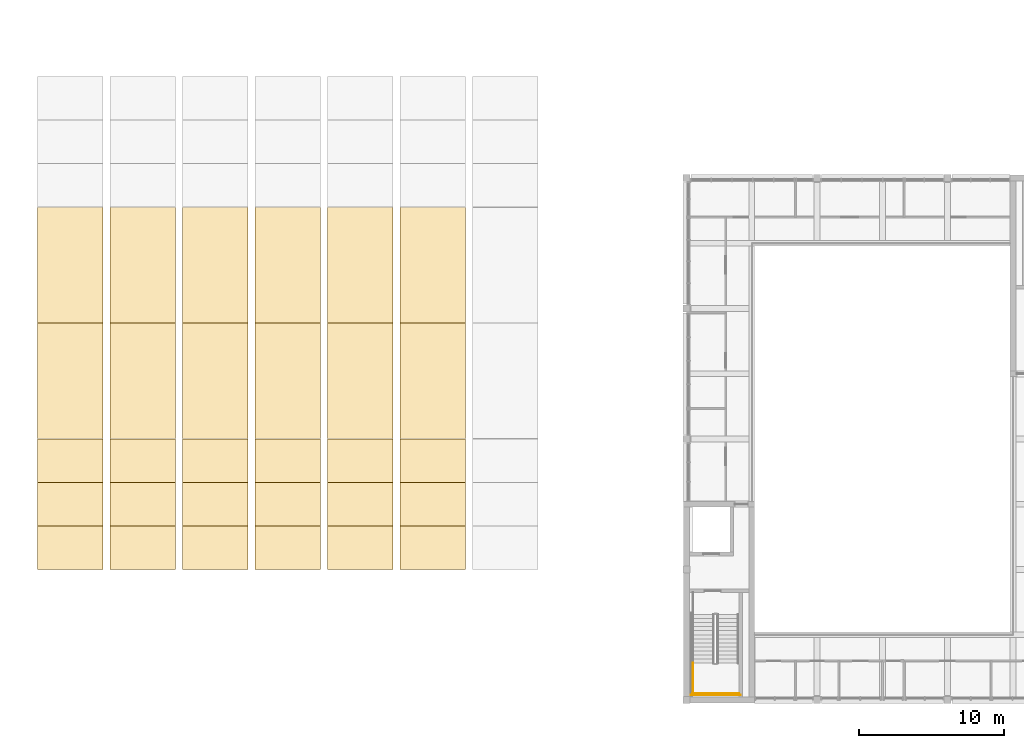
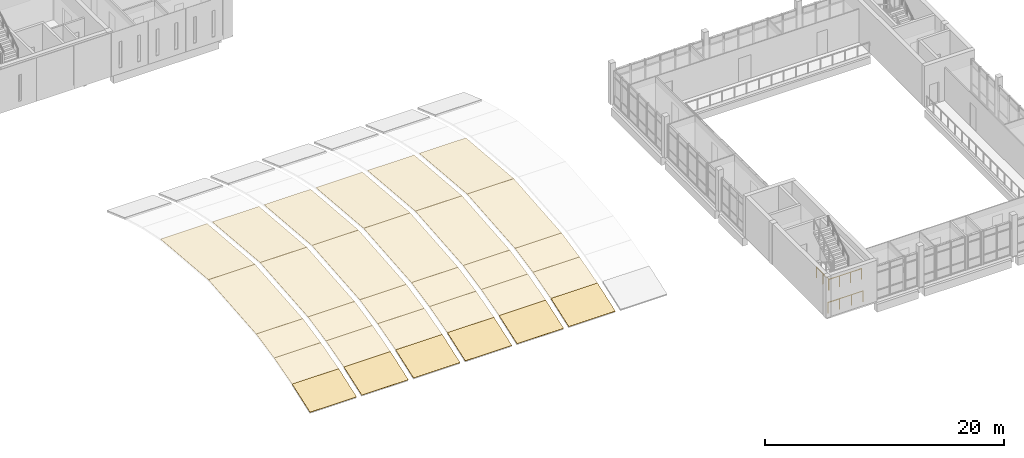
# One storey, part 57 of 74: 30 coverings, 3 railings.
"""IFC4 building model written with IfcOpenShell, lengths in metres."""

import ifcopenshell
import ifcopenshell.guid

model = None  # the IFC model being written
_history = None  # IfcOwnerHistory: only IFC2X3 demands one
_inside = {}  # id of a spatial element -> (the spatial element, [elements in it])
_under = {}  # id of a project, library or spatial element -> (it, [spatial elements below it])
_declared = {}  # id of a project -> (the project, [libraries it declares])
_typed = {}  # id of a type object -> (the type object, [elements of that type])
_made_of = {}  # id of a material, layer set ... -> (it, [elements and type objects made of it])


def new_model(schema):
    """Start an empty IFC model of exactly this schema.

    Asked for "IFC4X3", IfcOpenShell would pick the latest addendum, in which some entities
    have other attributes; the version numbers below select the first issue.
    IFC2X3 requires an IfcOwnerHistory on every rooted entity: one is made here for all.
    """
    global model, _history
    if schema == "IFC4X3":
        model = ifcopenshell.file(schema_version=(4, 3, 0, 0))
    else:
        model = ifcopenshell.file(schema=schema)
    _inside.clear()
    _under.clear()
    _declared.clear()
    _typed.clear()
    _made_of.clear()
    _history = None
    if model.schema == "IFC2X3":
        org = make("IfcOrganization", Name="unknown")
        user = make(
            "IfcPersonAndOrganization",
            ThePerson=make("IfcPerson", FamilyName="unknown"),
            TheOrganization=org,
        )
        app = make(
            "IfcApplication",
            ApplicationDeveloper=org,
            Version="unknown",
            ApplicationFullName="unknown",
            ApplicationIdentifier="unknown",
        )
        _history = make(
            "IfcOwnerHistory",
            OwningUser=user,
            OwningApplication=app,
            ChangeAction="ADDED",
            CreationDate=0,
        )
    return model


def make(cls, **values):
    """One entity of the class cls with the attributes given. An attribute that is None is left unset."""
    return model.create_entity(
        cls, **{name: value for name, value in values.items() if value is not None}
    )


def rooted(cls, **values):
    """An entity with a GlobalId (a new one), such as an element, a storey or a relation."""
    return make(cls, GlobalId=ifcopenshell.guid.new(), OwnerHistory=_history, **values)


def si_unit(unit_type, name, prefix=None):
    """IfcSIUnit, for example si_unit("LENGTHUNIT", "METRE", prefix="MILLI")."""
    return make("IfcSIUnit", UnitType=unit_type, Prefix=prefix, Name=name)


def assignment(units):
    """IfcUnitAssignment: the units of a project."""
    return None if units is None else make("IfcUnitAssignment", Units=units)


def point(xyz):
    """IfcCartesianPoint."""
    return None if xyz is None else make("IfcCartesianPoint", Coordinates=xyz)


def direction(xyz):
    """IfcDirection."""
    return None if xyz is None else make("IfcDirection", DirectionRatios=xyz)


def frame(location, z_axis=None, x_axis=None):
    """IfcAxis2Placement3D, a coordinate frame: its origin and axes. An axis left out is left unset."""
    return make(
        "IfcAxis2Placement3D",
        Location=point(location),
        Axis=direction(z_axis),
        RefDirection=direction(x_axis),
    )


def frame_2d(location, x_axis=None):
    """IfcAxis2Placement2D, a coordinate frame in the plane: its origin and x axis."""
    return make(
        "IfcAxis2Placement2D", Location=point(location), RefDirection=direction(x_axis)
    )


def origin():
    """The frame at (0, 0, 0) with its axes left unset."""
    return frame((0.0, 0.0, 0.0))


def origin_2d():
    """The frame at (0, 0) in the plane with its x axis left unset."""
    return frame_2d((0.0, 0.0))


def place(relative_to, where):
    """IfcLocalPlacement: puts the frame where relative to a parent placement (None: the world)."""
    return make(
        "IfcLocalPlacement", PlacementRelTo=relative_to, RelativePlacement=where
    )


def context(
    kind, dimensions, precision=None, world=None, true_north=None, identifier=None
):
    """IfcGeometricRepresentationContext, for example the 3D "Model" context."""
    return make(
        "IfcGeometricRepresentationContext",
        ContextIdentifier=identifier,
        ContextType=kind,
        CoordinateSpaceDimension=dimensions,
        Precision=precision,
        WorldCoordinateSystem=world,
        TrueNorth=true_north,
    )


def subcontext(parent, identifier, kind, view, scale=None):
    """IfcGeometricRepresentationSubContext, for example "Body" below "Model"."""
    return make(
        "IfcGeometricRepresentationSubContext",
        ContextIdentifier=identifier,
        ContextType=kind,
        ParentContext=parent,
        TargetScale=scale,
        TargetView=view,
    )


def project(units=None, contexts=None):
    """IfcProject with its units and contexts."""
    return rooted(
        "IfcProject",
        Name="project",
        RepresentationContexts=contexts,
        UnitsInContext=assignment(units),
    )


def spatial(cls, under=None, at=None, **own):
    """A site, building, storey or space (cls), placed at a placement, below another one or the project."""
    s = rooted(cls, ObjectPlacement=at, **own)
    if under is not None:
        _under.setdefault(under.id(), (under, []))[1].append(s)
    return s


def polyline(points):
    """IfcPolyline through the points."""
    return make("IfcPolyline", Points=[point(p) for p in points])


def profile(cls, at=None, kind="AREA", **sizes):
    """A parametric profile (cls). Its sizes go by their IFC names, for example OverallWidth=200.0."""
    return make(cls, ProfileType=kind, Position=at, **sizes)


def circle(**sizes):
    """IfcCircleProfileDef."""
    return profile("IfcCircleProfileDef", **sizes)


def outline(outer, holes=None, kind="AREA"):
    """IfcArbitraryClosedProfileDef: a profile drawn as a closed curve; with holes, ...WithVoids."""
    if holes is None:
        return make("IfcArbitraryClosedProfileDef", ProfileType=kind, OuterCurve=outer)
    return make(
        "IfcArbitraryProfileDefWithVoids",
        ProfileType=kind,
        OuterCurve=outer,
        InnerCurves=holes,
    )


def extrude(swept, where, along, depth):
    """IfcExtrudedAreaSolid: the profile swept, set in the frame where, extruded along a direction by depth."""
    return make(
        "IfcExtrudedAreaSolid",
        SweptArea=swept,
        Position=where,
        ExtrudedDirection=direction(along),
        Depth=depth,
    )


def shape(context_of_items, identifier, shape_type, items):
    """IfcShapeRepresentation: the items that make up one representation, for example the "Body"."""
    return make(
        "IfcShapeRepresentation",
        ContextOfItems=context_of_items,
        RepresentationIdentifier=identifier,
        RepresentationType=shape_type,
        Items=items,
    )


def material(Name=None, Category=None):
    """IfcMaterial."""
    return make("IfcMaterial", Name=Name, Category=Category)


def layer(
    of_material, thickness, ventilated=None, Name=None, Category=None, Priority=None
):
    """IfcMaterialLayer: one layer of a wall or slab, of a material (None: an air gap)."""
    return make(
        "IfcMaterialLayer",
        Material=of_material,
        LayerThickness=thickness,
        IsVentilated=ventilated,
        Name=Name,
        Category=Category,
        Priority=Priority,
    )


def layer_set(layers, Name=None):
    """IfcMaterialLayerSet."""
    return make("IfcMaterialLayerSet", MaterialLayers=layers, LayerSetName=Name)


def made_of(thing, what):
    """Note that an element or type object is made of a material, layer set ...; save() writes the relation."""
    if what is not None:
        _made_of.setdefault(what.id(), (what, []))[1].append(thing)
    return thing


def type_object(cls, material=None, **own):
    """A type object (cls), such as IfcWallType, which elements share."""
    return made_of(rooted(cls, **own), material)


def element(
    cls,
    number,
    at=None,
    inside=None,
    cuts=None,
    type_object=None,
    material=None,
    context=None,
    identifier="Body",
    shape_type=None,
    held_by="IfcProductDefinitionShape",
    body=None,
    shapes=None,
    **own,
):
    """One element of the class cls, such as IfcWall. Its Tag is "e" and its number.

    at: its placement. inside: the storey or other place that contains it. cuts: it is an
    opening in that element (IfcRelVoidsElement). A single representation is given by context,
    identifier, shape_type and body (its items); several are given by shapes. held_by: the class
    of the entity that holds the representations. save() writes the other relations.
    """
    e = rooted(cls, Tag="e%d" % number, ObjectPlacement=at, **own)
    if body is not None:
        shapes = [shape(context, identifier, shape_type, body)]
    if shapes is not None:
        e.Representation = make(held_by, Representations=shapes)
    if inside is not None:
        _inside.setdefault(inside.id(), (inside, []))[1].append(e)
    if cuts is not None:
        rooted(
            "IfcRelVoidsElement", RelatingBuildingElement=cuts, RelatedOpeningElement=e
        )
    if type_object is not None:
        _typed.setdefault(type_object.id(), (type_object, []))[1].append(e)
    return made_of(e, material)


def aggregate(whole, parts):
    """IfcRelAggregates: a whole, such as a stair, and the parts it consists of."""
    return rooted("IfcRelAggregates", RelatingObject=whole, RelatedObjects=parts)


def save(model, path):
    """Write the relations noted so far, then the file.

    IfcRelAggregates (storeys below a building ...), IfcRelContainedInSpatialStructure (elements
    in a storey), IfcRelDefinesByType, IfcRelAssociatesMaterial and IfcRelDeclares: one each for
    every whole, place, type object, material and project.
    """
    for whole, parts in _under.values():
        aggregate(whole, parts)
    for where, things in _inside.values():
        rooted(
            "IfcRelContainedInSpatialStructure",
            RelatedElements=things,
            RelatingStructure=where,
        )
    for kind, things in _typed.values():
        rooted("IfcRelDefinesByType", RelatedObjects=things, RelatingType=kind)
    for what, things in _made_of.values():
        rooted("IfcRelAssociatesMaterial", RelatedObjects=things, RelatingMaterial=what)
    for by, libraries in _declared.values():
        rooted("IfcRelDeclares", RelatingContext=by, RelatedDefinitions=libraries)
    model.write(path)


model = new_model("IFC4")

# Units and contexts
model_context = context("Model", 3, precision=1e-05, world=origin(), true_north=direction((0.0, 1.0)))
body_context = subcontext(model_context, "Body", "Model", "MODEL_VIEW")
ifc_project = project(units=[si_unit("LENGTHUNIT", "METRE"), si_unit("AREAUNIT", "SQUARE_METRE"), si_unit("VOLUMEUNIT", "CUBIC_METRE"), si_unit("PLANEANGLEUNIT", "RADIAN"), si_unit("MASSUNIT", "GRAM", prefix="KILO")], contexts=[model_context])

# Site, building, storey
site_placement = place(None, origin())
site = spatial("IfcSite", under=ifc_project, at=site_placement, CompositionType="ELEMENT")
building_placement = place(site_placement, origin())
building = spatial("IfcBuilding", under=site, at=building_placement, Name="Merrow Basin Faculty of Sciences", CompositionType="ELEMENT")
storey_placement = place(building_placement, frame((0.0, 0.0, 13.5)))
storey = spatial("IfcBuildingStorey", under=building, at=storey_placement, Name="L03", CompositionType="ELEMENT", Elevation=13.5)

# Coverings
ifc_material_1 = material(Name="Bituminous roofing membrane")
ifc_layer = layer(ifc_material_1, 0.030029296875)
ifc_layer_set = layer_set([ifc_layer], Name="Shell waterproofing 30")
covering_type = type_object("IfcCoveringType", Name="Shell waterproofing 30", PredefinedType="ROOFING", material=ifc_layer_set)
covering_1_placement = place(storey_placement, frame((0.25, 8.989990234375, 0.39794921875), z_axis=(0.0, -0.334256016582, 0.942482315685), x_axis=(1.0, 0.0, 0.0)))
element("IfcCovering", 1, at=covering_1_placement, inside=storey, type_object=covering_type, Name="Shell waterproofing", PredefinedType="ROOFING", context=body_context, shape_type="SweptSolid", body=[
    extrude(outline(polyline([(0.0, 0.0), (4.5, 0.0), (4.5, 3.183083597509805), (0.0, 3.183083597509805), (0.0, 0.0)])), origin(), (0.0, 0.0, -1.0), 0.030029296875),
])
covering_2_placement = place(storey_placement, frame((0.25, 11.991943359375, 1.462890625), z_axis=(0.0, -0.269365379975, 0.963038053283), x_axis=(1.0, 0.0, 0.0)))
element("IfcCovering", 2, at=covering_2_placement, inside=storey, type_object=covering_type, Name="Shell waterproofing", PredefinedType="ROOFING", context=body_context, shape_type="SweptSolid", body=[
    extrude(outline(polyline([(0.0, 0.0), (4.5, 0.0), (4.5, 3.115141701590427), (0.0, 3.115141701590427), (0.0, 0.0)])), origin(), (0.0, 0.0, -1.0), 0.030029296875),
])
covering_3_placement = place(storey_placement, frame((0.25, 14.993896484375, 2.302978515625), z_axis=(0.0, -0.204870252821, 0.978789139452), x_axis=(1.0, 0.0, 0.0)))
element("IfcCovering", 3, at=covering_3_placement, inside=storey, type_object=covering_type, Name="Shell waterproofing", PredefinedType="ROOFING", context=body_context, shape_type="SweptSolid", body=[
    extrude(outline(polyline([(0.0, 0.0), (4.5, 0.0), (4.5, 3.065011532187741), (0.0, 3.065011532187741), (0.0, 0.0)])), origin(), (0.0, 0.0, -1.0), 0.030029296875),
])
for number, where, z_axis, x_axis, name in (
    (4, (0.25, 17.9970703125, 2.930908203125), (0.0, -0.086557458826, 0.996246860131), (1.0, 0.0, 0.0), "Shell waterproofing"),
    (5, (0.25, 26.0029296875, 3.6259765625), (0.0, 0.086557458826, 0.996246860131), (1.0, 0.0, 0.0), "Shell waterproofing"),
):
    element("IfcCovering", number, at=place(storey_placement, frame(where, z_axis=z_axis, x_axis=x_axis)), inside=storey, type_object=covering_type, Name=name, PredefinedType="ROOFING", context=body_context, shape_type="SweptSolid", body=[
        extrude(outline(polyline([(0.0, 0.0), (4.5, 0.0), (4.5, 8.030138231948703), (0.0, 8.030138231948703), (0.0, 0.0)])), origin(), (0.0, 0.0, -1.0), 0.030029296875),
    ])
covering_4_placement = place(storey_placement, frame((5.25, 8.989990234375, 0.39794921875), z_axis=(0.0, -0.334256016582, 0.942482315685), x_axis=(1.0, 0.0, 0.0)))
element("IfcCovering", 6, at=covering_4_placement, inside=storey, type_object=covering_type, Name="Shell waterproofing", PredefinedType="ROOFING", context=body_context, shape_type="SweptSolid", body=[
    extrude(outline(polyline([(0.0, 0.0), (4.5, 0.0), (4.5, 3.183083597509805), (0.0, 3.183083597509805), (0.0, 0.0)])), origin(), (0.0, 0.0, -1.0), 0.030029296875),
])
covering_5_placement = place(storey_placement, frame((5.25, 11.991943359375, 1.462890625), z_axis=(0.0, -0.269365379975, 0.963038053283), x_axis=(1.0, 0.0, 0.0)))
element("IfcCovering", 7, at=covering_5_placement, inside=storey, type_object=covering_type, Name="Shell waterproofing", PredefinedType="ROOFING", context=body_context, shape_type="SweptSolid", body=[
    extrude(outline(polyline([(0.0, 0.0), (4.5, 0.0), (4.5, 3.115141701590427), (0.0, 3.115141701590427), (0.0, 0.0)])), origin(), (0.0, 0.0, -1.0), 0.030029296875),
])
covering_6_placement = place(storey_placement, frame((5.25, 14.993896484375, 2.302978515625), z_axis=(0.0, -0.204870252821, 0.978789139452), x_axis=(1.0, 0.0, 0.0)))
element("IfcCovering", 8, at=covering_6_placement, inside=storey, type_object=covering_type, Name="Shell waterproofing", PredefinedType="ROOFING", context=body_context, shape_type="SweptSolid", body=[
    extrude(outline(polyline([(0.0, 0.0), (4.5, 0.0), (4.5, 3.065011532187741), (0.0, 3.065011532187741), (0.0, 0.0)])), origin(), (0.0, 0.0, -1.0), 0.030029296875),
])
for number, where, z_axis, x_axis, name in (
    (9, (5.25, 17.9970703125, 2.930908203125), (0.0, -0.086557458826, 0.996246860131), (1.0, 0.0, 0.0), "Shell waterproofing"),
    (10, (5.25, 26.0029296875, 3.6259765625), (0.0, 0.086557458826, 0.996246860131), (1.0, 0.0, 0.0), "Shell waterproofing"),
):
    element("IfcCovering", number, at=place(storey_placement, frame(where, z_axis=z_axis, x_axis=x_axis)), inside=storey, type_object=covering_type, Name=name, PredefinedType="ROOFING", context=body_context, shape_type="SweptSolid", body=[
        extrude(outline(polyline([(0.0, 0.0), (4.5, 0.0), (4.5, 8.030138231948703), (0.0, 8.030138231948703), (0.0, 0.0)])), origin(), (0.0, 0.0, -1.0), 0.030029296875),
    ])
covering_7_placement = place(storey_placement, frame((10.25, 8.989990234375, 0.39794921875), z_axis=(0.0, -0.334256016582, 0.942482315685), x_axis=(1.0, 0.0, 0.0)))
element("IfcCovering", 11, at=covering_7_placement, inside=storey, type_object=covering_type, Name="Shell waterproofing", PredefinedType="ROOFING", context=body_context, shape_type="SweptSolid", body=[
    extrude(outline(polyline([(0.0, 0.0), (4.5, 0.0), (4.5, 3.183083597509805), (0.0, 3.183083597509805), (0.0, 0.0)])), origin(), (0.0, 0.0, -1.0), 0.030029296875),
])
covering_8_placement = place(storey_placement, frame((10.25, 11.991943359375, 1.462890625), z_axis=(0.0, -0.269365379975, 0.963038053283), x_axis=(1.0, 0.0, 0.0)))
element("IfcCovering", 12, at=covering_8_placement, inside=storey, type_object=covering_type, Name="Shell waterproofing", PredefinedType="ROOFING", context=body_context, shape_type="SweptSolid", body=[
    extrude(outline(polyline([(0.0, 0.0), (4.5, 0.0), (4.5, 3.115141701590427), (0.0, 3.115141701590427), (0.0, 0.0)])), origin(), (0.0, 0.0, -1.0), 0.030029296875),
])
covering_9_placement = place(storey_placement, frame((10.25, 14.993896484375, 2.302978515625), z_axis=(0.0, -0.204870252821, 0.978789139452), x_axis=(1.0, 0.0, 0.0)))
element("IfcCovering", 13, at=covering_9_placement, inside=storey, type_object=covering_type, Name="Shell waterproofing", PredefinedType="ROOFING", context=body_context, shape_type="SweptSolid", body=[
    extrude(outline(polyline([(0.0, 0.0), (4.5, 0.0), (4.5, 3.065011532187741), (0.0, 3.065011532187741), (0.0, 0.0)])), origin(), (0.0, 0.0, -1.0), 0.030029296875),
])
for number, where, z_axis, x_axis, name in (
    (14, (10.25, 17.9970703125, 2.930908203125), (0.0, -0.086557458826, 0.996246860131), (1.0, 0.0, 0.0), "Shell waterproofing"),
    (15, (10.25, 26.0029296875, 3.6259765625), (0.0, 0.086557458826, 0.996246860131), (1.0, 0.0, 0.0), "Shell waterproofing"),
):
    element("IfcCovering", number, at=place(storey_placement, frame(where, z_axis=z_axis, x_axis=x_axis)), inside=storey, type_object=covering_type, Name=name, PredefinedType="ROOFING", context=body_context, shape_type="SweptSolid", body=[
        extrude(outline(polyline([(0.0, 0.0), (4.5, 0.0), (4.5, 8.030138231948703), (0.0, 8.030138231948703), (0.0, 0.0)])), origin(), (0.0, 0.0, -1.0), 0.030029296875),
    ])
covering_10_placement = place(storey_placement, frame((15.25, 8.989990234375, 0.39794921875), z_axis=(0.0, -0.334256016582, 0.942482315685), x_axis=(1.0, 0.0, 0.0)))
element("IfcCovering", 16, at=covering_10_placement, inside=storey, type_object=covering_type, Name="Shell waterproofing", PredefinedType="ROOFING", context=body_context, shape_type="SweptSolid", body=[
    extrude(outline(polyline([(0.0, 0.0), (4.5, 0.0), (4.5, 3.183083597509805), (0.0, 3.183083597509805), (0.0, 0.0)])), origin(), (0.0, 0.0, -1.0), 0.030029296875),
])
covering_11_placement = place(storey_placement, frame((15.25, 11.991943359375, 1.462890625), z_axis=(0.0, -0.269365379975, 0.963038053283), x_axis=(1.0, 0.0, 0.0)))
element("IfcCovering", 17, at=covering_11_placement, inside=storey, type_object=covering_type, Name="Shell waterproofing", PredefinedType="ROOFING", context=body_context, shape_type="SweptSolid", body=[
    extrude(outline(polyline([(0.0, 0.0), (4.5, 0.0), (4.5, 3.115141701590427), (0.0, 3.115141701590427), (0.0, 0.0)])), origin(), (0.0, 0.0, -1.0), 0.030029296875),
])
covering_12_placement = place(storey_placement, frame((15.25, 14.993896484375, 2.302978515625), z_axis=(0.0, -0.204870252821, 0.978789139452), x_axis=(1.0, 0.0, 0.0)))
element("IfcCovering", 18, at=covering_12_placement, inside=storey, type_object=covering_type, Name="Shell waterproofing", PredefinedType="ROOFING", context=body_context, shape_type="SweptSolid", body=[
    extrude(outline(polyline([(0.0, 0.0), (4.5, 0.0), (4.5, 3.065011532187741), (0.0, 3.065011532187741), (0.0, 0.0)])), origin(), (0.0, 0.0, -1.0), 0.030029296875),
])
for number, where, z_axis, x_axis, name in (
    (19, (15.25, 17.9970703125, 2.930908203125), (0.0, -0.086557458826, 0.996246860131), (1.0, 0.0, 0.0), "Shell waterproofing"),
    (20, (15.25, 26.0029296875, 3.6259765625), (0.0, 0.086557458826, 0.996246860131), (1.0, 0.0, 0.0), "Shell waterproofing"),
):
    element("IfcCovering", number, at=place(storey_placement, frame(where, z_axis=z_axis, x_axis=x_axis)), inside=storey, type_object=covering_type, Name=name, PredefinedType="ROOFING", context=body_context, shape_type="SweptSolid", body=[
        extrude(outline(polyline([(0.0, 0.0), (4.5, 0.0), (4.5, 8.030138231948703), (0.0, 8.030138231948703), (0.0, 0.0)])), origin(), (0.0, 0.0, -1.0), 0.030029296875),
    ])
covering_13_placement = place(storey_placement, frame((20.25, 8.989990234375, 0.39794921875), z_axis=(0.0, -0.334256016582, 0.942482315685), x_axis=(1.0, 0.0, 0.0)))
element("IfcCovering", 21, at=covering_13_placement, inside=storey, type_object=covering_type, Name="Shell waterproofing", PredefinedType="ROOFING", context=body_context, shape_type="SweptSolid", body=[
    extrude(outline(polyline([(0.0, 0.0), (4.5, 0.0), (4.5, 3.183083597509805), (0.0, 3.183083597509805), (0.0, 0.0)])), origin(), (0.0, 0.0, -1.0), 0.030029296875),
])
covering_14_placement = place(storey_placement, frame((20.25, 11.991943359375, 1.462890625), z_axis=(0.0, -0.269365379975, 0.963038053283), x_axis=(1.0, 0.0, 0.0)))
element("IfcCovering", 22, at=covering_14_placement, inside=storey, type_object=covering_type, Name="Shell waterproofing", PredefinedType="ROOFING", context=body_context, shape_type="SweptSolid", body=[
    extrude(outline(polyline([(0.0, 0.0), (4.5, 0.0), (4.5, 3.115141701590427), (0.0, 3.115141701590427), (0.0, 0.0)])), origin(), (0.0, 0.0, -1.0), 0.030029296875),
])
covering_15_placement = place(storey_placement, frame((20.25, 14.993896484375, 2.302978515625), z_axis=(0.0, -0.204870252821, 0.978789139452), x_axis=(1.0, 0.0, 0.0)))
element("IfcCovering", 23, at=covering_15_placement, inside=storey, type_object=covering_type, Name="Shell waterproofing", PredefinedType="ROOFING", context=body_context, shape_type="SweptSolid", body=[
    extrude(outline(polyline([(0.0, 0.0), (4.5, 0.0), (4.5, 3.065011532187741), (0.0, 3.065011532187741), (0.0, 0.0)])), origin(), (0.0, 0.0, -1.0), 0.030029296875),
])
for number, where, z_axis, x_axis, name in (
    (24, (20.25, 17.9970703125, 2.930908203125), (0.0, -0.086557458826, 0.996246860131), (1.0, 0.0, 0.0), "Shell waterproofing"),
    (25, (20.25, 26.0029296875, 3.6259765625), (0.0, 0.086557458826, 0.996246860131), (1.0, 0.0, 0.0), "Shell waterproofing"),
):
    element("IfcCovering", number, at=place(storey_placement, frame(where, z_axis=z_axis, x_axis=x_axis)), inside=storey, type_object=covering_type, Name=name, PredefinedType="ROOFING", context=body_context, shape_type="SweptSolid", body=[
        extrude(outline(polyline([(0.0, 0.0), (4.5, 0.0), (4.5, 8.030138231948703), (0.0, 8.030138231948703), (0.0, 0.0)])), origin(), (0.0, 0.0, -1.0), 0.030029296875),
    ])
covering_16_placement = place(storey_placement, frame((25.25, 8.989990234375, 0.39794921875), z_axis=(0.0, -0.334256016582, 0.942482315685), x_axis=(1.0, 0.0, 0.0)))
element("IfcCovering", 26, at=covering_16_placement, inside=storey, type_object=covering_type, Name="Shell waterproofing", PredefinedType="ROOFING", context=body_context, shape_type="SweptSolid", body=[
    extrude(outline(polyline([(0.0, 0.0), (4.5, 0.0), (4.5, 3.183083597509805), (0.0, 3.183083597509805), (0.0, 0.0)])), origin(), (0.0, 0.0, -1.0), 0.030029296875),
])
covering_17_placement = place(storey_placement, frame((25.25, 11.991943359375, 1.462890625), z_axis=(0.0, -0.269365379975, 0.963038053283), x_axis=(1.0, 0.0, 0.0)))
element("IfcCovering", 27, at=covering_17_placement, inside=storey, type_object=covering_type, Name="Shell waterproofing", PredefinedType="ROOFING", context=body_context, shape_type="SweptSolid", body=[
    extrude(outline(polyline([(0.0, 0.0), (4.5, 0.0), (4.5, 3.115141701590427), (0.0, 3.115141701590427), (0.0, 0.0)])), origin(), (0.0, 0.0, -1.0), 0.030029296875),
])
covering_18_placement = place(storey_placement, frame((25.25, 14.993896484375, 2.302978515625), z_axis=(0.0, -0.204870252821, 0.978789139452), x_axis=(1.0, 0.0, 0.0)))
element("IfcCovering", 28, at=covering_18_placement, inside=storey, type_object=covering_type, Name="Shell waterproofing", PredefinedType="ROOFING", context=body_context, shape_type="SweptSolid", body=[
    extrude(outline(polyline([(0.0, 0.0), (4.5, 0.0), (4.5, 3.065011532187741), (0.0, 3.065011532187741), (0.0, 0.0)])), origin(), (0.0, 0.0, -1.0), 0.030029296875),
])
for number, where, z_axis, x_axis, name in (
    (29, (25.25, 17.9970703125, 2.930908203125), (0.0, -0.086557458826, 0.996246860131), (1.0, 0.0, 0.0), "Shell waterproofing"),
    (30, (25.25, 26.0029296875, 3.6259765625), (0.0, 0.086557458826, 0.996246860131), (1.0, 0.0, 0.0), "Shell waterproofing"),
):
    element("IfcCovering", number, at=place(storey_placement, frame(where, z_axis=z_axis, x_axis=x_axis)), inside=storey, type_object=covering_type, Name=name, PredefinedType="ROOFING", context=body_context, shape_type="SweptSolid", body=[
        extrude(outline(polyline([(0.0, 0.0), (4.5, 0.0), (4.5, 8.030138231948703), (0.0, 8.030138231948703), (0.0, 0.0)])), origin(), (0.0, 0.0, -1.0), 0.030029296875),
    ])

# Railings
ifc_material_2 = material(Name="Steel ASTM A36", Category="steel")
railing_type = type_object("IfcRailingType", Name="Steel guard 1100", PredefinedType="GUARDRAIL", material=ifc_material_2)
railing_1_placement = place(storey_placement, frame((45.449951171875, 2.5400390625, 2.25)))
element("IfcRailing", 31, at=railing_1_placement, inside=storey, type_object=railing_type, Name="L03 ST-V3-W stair guard 3", PredefinedType="GUARDRAIL", context=body_context, shape_type="SweptSolid", body=[
    extrude(circle(Radius=0.02392578125, at=origin_2d()), frame((0.0, 0.0, 1.076171875), z_axis=(0.0, -1.0, 0.0), x_axis=(1.0, 0.0, 0.0)), (0.0, 0.0, 1.0), 2.14013671875),
    extrude(circle(Radius=0.02099609375, at=origin_2d()), origin(), (0.0, 0.0, 1.0), 1.052001953125),
    extrude(circle(Radius=0.02099609375, at=origin_2d()), frame((0.0, -1.070068359375, 0.0)), (0.0, 0.0, 1.0), 1.052001953125),
    extrude(circle(Radius=0.02099609375, at=origin_2d()), frame((0.0, -2.14013671875, 0.0)), (0.0, 0.0, 1.0), 1.052001953125),
])
railing_2_placement = place(storey_placement, frame((45.39990234375, 0.449951171875, 2.25)))
element("IfcRailing", 32, at=railing_2_placement, inside=storey, type_object=railing_type, Name="L03 ST-V3-W stair guard 4", PredefinedType="GUARDRAIL", context=body_context, shape_type="SweptSolid", body=[
    extrude(circle(Radius=0.02392578125, at=origin_2d()), frame((0.0, 0.0, 1.076171875), z_axis=(1.0, 0.0, 0.0), x_axis=(0.0, 1.0, 0.0)), (0.0, 0.0, 1.0), 3.2001953125),
    extrude(circle(Radius=0.02099609375, at=origin_2d()), origin(), (0.0, 0.0, 1.0), 1.052001953125),
    extrude(circle(Radius=0.02099609375, at=origin_2d()), frame((1.066650390625, 0.0, 0.0)), (0.0, 0.0, 1.0), 1.052001953125),
    extrude(circle(Radius=0.02099609375, at=origin_2d()), frame((2.133544921875, 0.0, 0.0)), (0.0, 0.0, 1.0), 1.052001953125),
    extrude(circle(Radius=0.02099609375, at=origin_2d()), frame((3.2001953125, 0.0, 0.0)), (0.0, 0.0, 1.0), 1.052001953125),
])
railing_3_placement = place(storey_placement, frame((45.300048828125, 0.35009765625, 0.0)))
element("IfcRailing", 33, at=railing_3_placement, inside=storey, type_object=railing_type, Name="L03 ST-V3-W stair guard 9", PredefinedType="GUARDRAIL", context=body_context, shape_type="SweptSolid", body=[
    extrude(circle(Radius=0.02392578125, at=origin_2d()), frame((0.0, 0.0, 1.076171875), z_axis=(1.0, 0.0, 0.0), x_axis=(0.0, 1.0, 0.0)), (0.0, 0.0, 1.0), 3.39990234375),
    extrude(circle(Radius=0.02099609375, at=origin_2d()), origin(), (0.0, 0.0, 1.0), 1.052001953125),
    extrude(circle(Radius=0.02099609375, at=origin_2d()), frame((1.13330078125, 0.0, 0.0)), (0.0, 0.0, 1.0), 1.052001953125),
    extrude(circle(Radius=0.02099609375, at=origin_2d()), frame((2.2666015625, 0.0, 0.0)), (0.0, 0.0, 1.0), 1.052001953125),
    extrude(circle(Radius=0.02099609375, at=origin_2d()), frame((3.39990234375, 0.0, 0.0)), (0.0, 0.0, 1.0), 1.052001953125),
])

save(model, "model.ifc")
